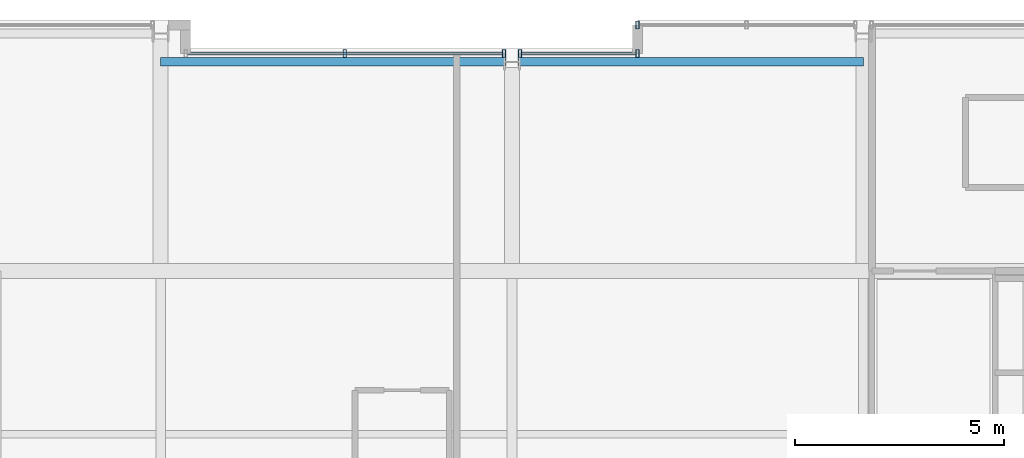
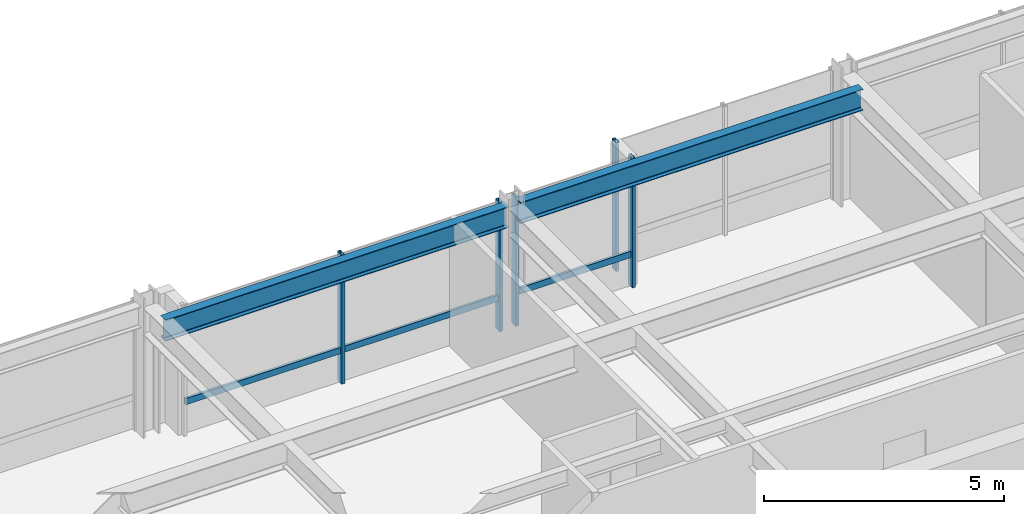
# One storey, part 21 of 32: 7 members, 2 beams, 3 elements without a shape of their own.
"""IFC4 building model written with IfcOpenShell, lengths in metres."""

from ifc_helpers import new_model, si_unit, direction, frame, origin, origin_2d, place, context, subcontext, project, spatial, hollow_rectangle, i_section, extrude, material, layer, layer_set, material_profile, profile_set, type_object, element, aggregate, save


model = new_model("IFC4")

# Units and contexts
model_context = context("Model", 3, precision=1e-05, world=origin(), true_north=direction((0.0, 1.0)))
body_context = subcontext(model_context, "Body", "Model", "MODEL_VIEW")
ifc_project = project(units=[si_unit("LENGTHUNIT", "METRE"), si_unit("AREAUNIT", "SQUARE_METRE"), si_unit("VOLUMEUNIT", "CUBIC_METRE"), si_unit("PLANEANGLEUNIT", "RADIAN"), si_unit("MASSUNIT", "GRAM", prefix="KILO")], contexts=[model_context])

# Site, building, storey
site_placement = place(None, origin())
site = spatial("IfcSite", under=ifc_project, at=site_placement, CompositionType="ELEMENT")
building_placement = place(site_placement, origin())
building = spatial("IfcBuilding", under=site, at=building_placement, Name="Drelvath Grand Hotel", CompositionType="ELEMENT")
storey_placement = place(building_placement, frame((0.0, 0.0, 193.0)))
storey = spatial("IfcBuildingStorey", under=building, at=storey_placement, Name="L50", CompositionType="ELEMENT", Elevation=193.0)

# Curtain wall, member
ifc_material_1 = material(Name="Brushed Pale-Silver Anodised Aluminium Frame", Category="aluminium")
ifc_layer = layer(ifc_material_1, 0.199951171875)
ifc_layer_set = layer_set([ifc_layer], Name="Brushed Pale-Silver Anodised Aluminium Frame")
curtain_wall_type = type_object("IfcCurtainWallType", Name="Stick Curtain Wall CW-04 Brushed Silver Upper-Mid", PredefinedType="NOTDEFINED", material=ifc_layer_set)
curtain_wall_1_placement = place(storey_placement, origin())
curtain_wall_1 = element("IfcCurtainWall", 1, at=curtain_wall_1_placement, inside=storey, type_object=curtain_wall_type, Name="L50 CW-04 Curtain Wall CW04-L50-NM1", PredefinedType="NOTDEFINED")
ifc_material_profile_1 = material_profile(ifc_material_1, hollow_rectangle(XDim=0.06494140625, YDim=0.159912109375, WallThickness=0.00390625, at=origin_2d()), Name="HSS160X65X4")
ifc_profile_set_1 = profile_set([ifc_material_profile_1], Name="Brushed Pale-Silver Anodised Aluminium Frame")
member_type_1 = type_object("IfcMemberType", Name="Curtain Wall Horizontal Transom CW-04 HSS160X65X4", PredefinedType="USERDEFINED", material=ifc_profile_set_1)
member_1_placement = place(storey_placement, frame((-7.760009765625, 48.39990234375, 0.822509765625), z_axis=(1.0, 0.0, 0.0), x_axis=(0.0, 1.0, 0.0)))
member_1 = element("IfcMember", 2, at=member_1_placement, type_object=member_type_1, Name="CW04-L50-NM1 Sill Transom", ObjectType="TRANSOM", PredefinedType="USERDEFINED", context=body_context, shape_type="SweptSolid", body=[
    extrude(hollow_rectangle(XDim=0.06494140625, YDim=0.159912109375, WallThickness=0.00390625, at=origin_2d()), origin(), (0.0, 0.0, 1.0), 7.5283203125),
])

curtain_wall_2_placement = place(storey_placement, origin())
curtain_wall_2 = element("IfcCurtainWall", 3, at=curtain_wall_2_placement, inside=storey, type_object=curtain_wall_type, Name="L50 CW-04 Curtain Wall CW04-L50-NM2", PredefinedType="NOTDEFINED")
member_2_placement = place(storey_placement, frame((0.231689453125, 48.39990234375, 0.822509765625), z_axis=(1.0, 0.0, 0.0), x_axis=(0.0, 1.0, 0.0)))
member_2 = element("IfcMember", 4, at=member_2_placement, type_object=member_type_1, Name="CW04-L50-NM2 Sill Transom", ObjectType="TRANSOM", PredefinedType="USERDEFINED", context=body_context, shape_type="SweptSolid", body=[
    extrude(hollow_rectangle(XDim=0.06494140625, YDim=0.159912109375, WallThickness=0.00390625, at=origin_2d()), origin(), (0.0, 0.0, 1.0), 2.728271484375),
])

# Member
ifc_material_profile_2 = material_profile(ifc_material_1, hollow_rectangle(XDim=0.074951171875, YDim=0.179931640625, WallThickness=0.0048828125, at=origin_2d()), Name="HSS180X75X5")
ifc_profile_set_2 = profile_set([ifc_material_profile_2], Name="Brushed Pale-Silver Anodised Aluminium Frame")
member_type_2 = type_object("IfcMemberType", Name="Curtain Wall Vertical Mullion CW-04 HSS180X75X5", PredefinedType="MULLION", material=ifc_profile_set_2)
member_3_placement = place(storey_placement, frame((-3.995849609375, 48.39990234375, 0.0), z_axis=(0.0, 0.0, 1.0), x_axis=(1.0, 0.0, 0.0)))
member_3 = element("IfcMember", 5, at=member_3_placement, type_object=member_type_2, Name="CW04-L50-NM1 Mullion 2", PredefinedType="MULLION", context=body_context, shape_type="SweptSolid", body=[
    extrude(hollow_rectangle(XDim=0.074951171875, YDim=0.179931640625, WallThickness=0.0048828125, at=origin_2d()), origin(), (0.0, 0.0, 1.0), 3.2900390625),
])

member_4_placement = place(storey_placement, frame((-0.191650390625, 48.39990234375, 0.0), z_axis=(0.0, 0.0, 1.0), x_axis=(1.0, 0.0, 0.0)))
member_4 = element("IfcMember", 6, at=member_4_placement, type_object=member_type_2, Name="CW04-L50-NM1 Mullion 3", PredefinedType="MULLION", context=body_context, shape_type="SweptSolid", body=[
    extrude(hollow_rectangle(XDim=0.074951171875, YDim=0.179931640625, WallThickness=0.0048828125, at=origin_2d()), origin(), (0.0, 0.0, 1.0), 3.2900390625),
])

aggregate(curtain_wall_1, [member_3, member_4, member_1])

member_5_placement = place(storey_placement, frame((0.191650390625, 48.39990234375, 0.0), z_axis=(0.0, 0.0, 1.0), x_axis=(1.0, 0.0, 0.0)))
member_5 = element("IfcMember", 7, at=member_5_placement, type_object=member_type_2, Name="CW04-L50-NM2 Mullion 1", PredefinedType="MULLION", context=body_context, shape_type="SweptSolid", body=[
    extrude(hollow_rectangle(XDim=0.074951171875, YDim=0.179931640625, WallThickness=0.0048828125, at=origin_2d()), origin(), (0.0, 0.0, 1.0), 3.2900390625),
])

member_6_placement = place(storey_placement, frame((3.0, 48.39990234375, 0.0), z_axis=(0.0, 0.0, 1.0), x_axis=(1.0, 0.0, 0.0)))
member_6 = element("IfcMember", 8, at=member_6_placement, type_object=member_type_2, Name="CW04-L50-NM2 Mullion 2", PredefinedType="MULLION", context=body_context, shape_type="SweptSolid", body=[
    extrude(hollow_rectangle(XDim=0.074951171875, YDim=0.179931640625, WallThickness=0.0048828125, at=origin_2d()), origin(), (0.0, 0.0, 1.0), 3.2900390625),
])

aggregate(curtain_wall_2, [member_5, member_6, member_2])

# Curtain wall, member
curtain_wall_3_placement = place(storey_placement, origin())
curtain_wall_3 = element("IfcCurtainWall", 9, at=curtain_wall_3_placement, inside=storey, type_object=curtain_wall_type, Name="L50 CW-04 Curtain Wall CW04-L50-NE1", PredefinedType="NOTDEFINED")
member_7_placement = place(storey_placement, frame((3.0, 49.080078125, 0.0), z_axis=(0.0, 0.0, 1.0), x_axis=(1.0, 0.0, 0.0)))
member_7 = element("IfcMember", 10, at=member_7_placement, type_object=member_type_2, Name="CW04-L50-NE1 Mullion 1", PredefinedType="MULLION", context=body_context, shape_type="SweptSolid", body=[
    extrude(hollow_rectangle(XDim=0.074951171875, YDim=0.179931640625, WallThickness=0.0048828125, at=origin_2d()), origin(), (0.0, 0.0, 1.0), 3.2900390625),
])
aggregate(curtain_wall_3, [member_7])

# Beams
ifc_material_2 = material(Name="Steel ASTM A992 Gr 50", Category="steel")
ifc_material_profile_3 = material_profile(ifc_material_2, i_section(OverallWidth=0.210205078125, OverallDepth=0.53662109375, WebThickness=0.010986328125, FlangeThickness=0.017333984375, FilletRadius=0.01806640625, at=origin_2d()), Name="W21X68")
ifc_profile_set_3 = profile_set([ifc_material_profile_3], Name="Steel ASTM A992 Gr 50")
beam_type = type_object("IfcBeamType", Name="Perimeter Spandrel Beam W21X68", PredefinedType="SPANDREL", material=ifc_profile_set_3)
for number, where, z_axis, x_axis, name in (
    (11, (-8.39990234375, 48.199951171875, 3.021484375), (1.0, 0.0, 0.0), (0.0, 1.0, 0.0), "L50 Spandrel North Mid W"),
    (12, (0.139892578125, 48.199951171875, 3.021484375), (1.0, 0.0, 0.0), (0.0, 1.0, 0.0), "L50 Spandrel North Mid E"),
):
    element("IfcBeam", number, at=place(storey_placement, frame(where, z_axis=z_axis, x_axis=x_axis)), inside=storey, type_object=beam_type, Name=name, PredefinedType="SPANDREL", context=body_context, shape_type="SweptSolid", body=[
        extrude(i_section(OverallWidth=0.210205078125, OverallDepth=0.53662109375, WebThickness=0.010986328125, FlangeThickness=0.017333984375, FilletRadius=0.01806640625, at=origin_2d()), origin(), (0.0, 0.0, 1.0), 8.260009765625),
    ])

save(model, "model.ifc")
